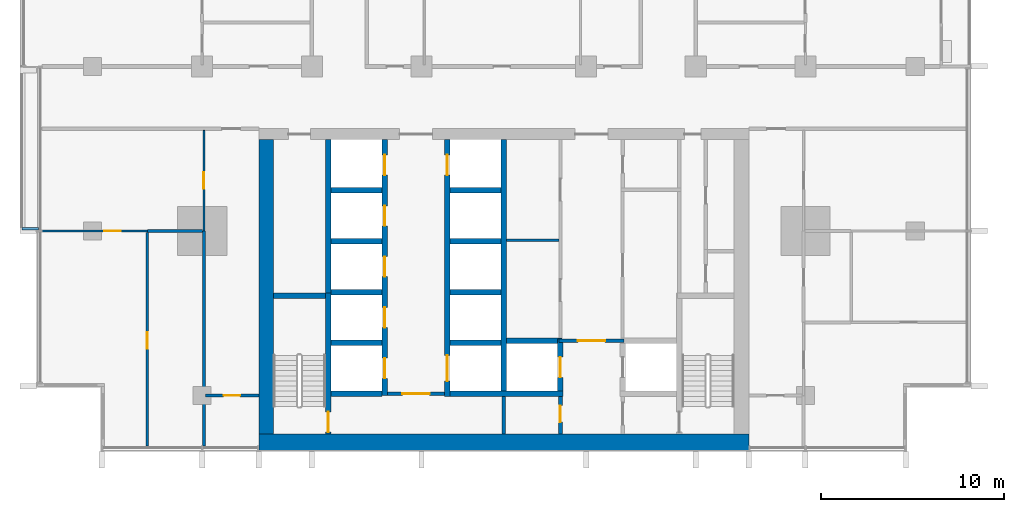
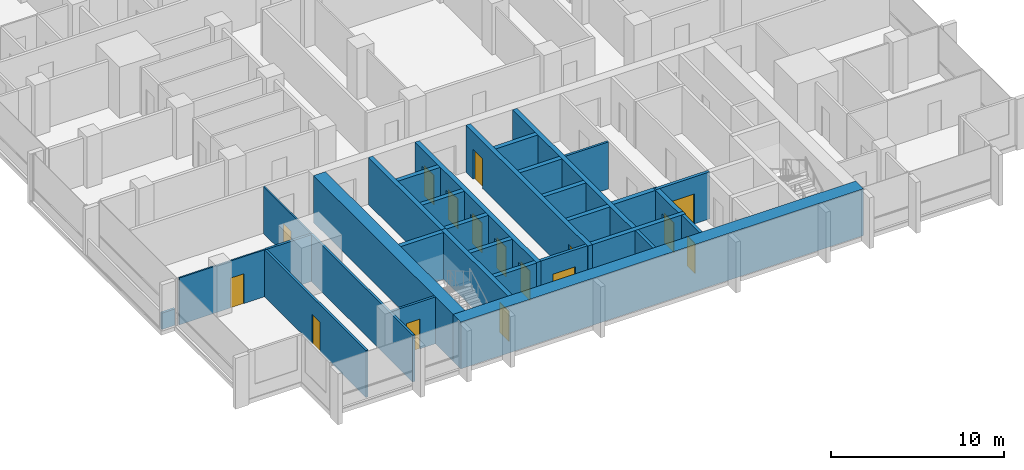
# One storey, part 7 of 17: 32 walls, 16 doors, 16 openings.
"""IFC4 building model written with IfcOpenShell, lengths in metres."""

from ifc_helpers import new_model, si_unit, direction, frame, frame_2d, origin, place, context, subcontext, project, spatial, rectangle, extrude, material, layer, layer_set, type_object, element, fill, save


model = new_model("IFC4")

# Units and contexts
model_context = context("Model", 3, precision=1e-05, world=origin(), true_north=direction((0.0, 1.0)))
body_context = subcontext(model_context, "Body", "Model", "MODEL_VIEW")
ifc_project = project(units=[si_unit("LENGTHUNIT", "METRE"), si_unit("AREAUNIT", "SQUARE_METRE"), si_unit("VOLUMEUNIT", "CUBIC_METRE"), si_unit("PLANEANGLEUNIT", "RADIAN"), si_unit("MASSUNIT", "GRAM", prefix="KILO")], contexts=[model_context])

# Site, building, storey
site_placement = place(None, origin())
site = spatial("IfcSite", under=ifc_project, at=site_placement, CompositionType="ELEMENT")
building_placement = place(site_placement, origin())
building = spatial("IfcBuilding", under=site, at=building_placement, Name="Finial Court Residences", CompositionType="ELEMENT")
storey_placement = place(building_placement, frame((0.0, 0.0, 120.699951171875)))
storey = spatial("IfcBuildingStorey", under=building, at=storey_placement, Name="L30", CompositionType="ELEMENT", Elevation=120.699951171875)

# Walls
ifc_material_1 = material(Name="Concrete C70/85", Category="concrete")
ifc_layer_1 = layer(ifc_material_1, 0.800048828125)
ifc_layer_set_1 = layer_set([ifc_layer_1], Name="Core outer wall 800 Concrete C70/85")
wall_type_1 = type_object("IfcWallType", Name="Core outer wall 800 Concrete C70/85", PredefinedType="SHEAR", material=ifc_layer_set_1)
wall_1_placement = place(storey_placement, frame((-13.0, -24.60009765625, 0.0), z_axis=(0.0, 0.0, 1.0), x_axis=(0.0, 1.0, 0.0)))
element("IfcWall", 1, at=wall_1_placement, inside=storey, type_object=wall_type_1, Name="Core outer wall L30-03", PredefinedType="SHEAR", context=body_context, shape_type="SweptSolid", body=[
    extrude(rectangle(XDim=16.10009765625, YDim=0.800048828125, at=frame_2d((8.050048828125, 0.0))), origin(), (0.0, 0.0, 1.0), 3.300048828125),
])
ifc_material_2 = material(Name="Fire-rated gypsum board partition")
ifc_layer_2 = layer(ifc_material_2, 0.14990234375)
ifc_layer_set_2 = layer_set([ifc_layer_2], Name="Core room partition 150 EI 60")
wall_type_2 = type_object("IfcWallType", Name="Core room partition 150 EI 60", PredefinedType="PARTITIONING", material=ifc_layer_set_2)
wall_2_placement = place(storey_placement, frame((0.14990234375, -14.0, 0.0), z_axis=(0.0, 0.0, 1.0), x_axis=(1.0, 0.0, 0.0)))
element("IfcWall", 2, at=wall_2_placement, inside=storey, type_object=wall_type_2, Name="Core partition L30-17", PredefinedType="PARTITIONING", context=body_context, shape_type="SweptSolid", body=[
    extrude(rectangle(XDim=2.875, YDim=0.14990234375, at=frame_2d((1.4375, 0.0))), origin(), (0.0, 0.0, 1.0), 3.300048828125),
])
ifc_layer_3 = layer(ifc_material_1, 0.89990234375)
ifc_layer_set_3 = layer_set([ifc_layer_3], Name="Core south facade wall 900 Concrete C70/85")
wall_type_3 = type_object("IfcWallType", Name="Core south facade wall 900 Concrete C70/85", PredefinedType="SHEAR", material=ifc_layer_set_3)
wall_3_placement = place(storey_placement, frame((-13.39990234375, -25.050048828125, 0.0), z_axis=(0.0, 0.0, 1.0), x_axis=(1.0, 0.0, 0.0)))
element("IfcWall", 3, at=wall_3_placement, inside=storey, type_object=wall_type_3, Name="Core outer wall L30-01", PredefinedType="SHEAR", context=body_context, shape_type="SweptSolid", body=[
    extrude(rectangle(XDim=26.7998046875, YDim=0.89990234375, at=frame_2d((13.39990234375, 0.0))), origin(), (0.0, 0.0, 1.0), 3.300048828125),
])

# Wall, opening, door
ifc_layer_4 = layer(ifc_material_2, 0.199951171875)
ifc_layer_set_4 = layer_set([ifc_layer_4], Name="Firefighting lobby wall 200 EI 120")
wall_type_4 = type_object("IfcWallType", Name="Firefighting lobby wall 200 EI 120", PredefinedType="PARTITIONING", material=ifc_layer_set_4)
wall_4_placement = place(storey_placement, frame((6.574951171875, -19.5, 0.0), z_axis=(0.0, 0.0, 1.0), x_axis=(-1.0, 0.0, 0.0)))
wall_4 = element("IfcWall", 4, at=wall_4_placement, inside=storey, type_object=wall_type_4, Name="Core partition L30-08", PredefinedType="PARTITIONING", context=body_context, shape_type="SweptSolid", body=[
    extrude(rectangle(XDim=3.550048828125, YDim=0.199951171875, at=frame_2d((1.77490234375, 0.0))), origin(), (0.0, 0.0, 1.0), 3.300048828125),
])
opening_1_placement = place(wall_4_placement, frame((1.02490234375, 0.0, 0.0)))
opening_1 = element("IfcOpeningElement", 5, at=opening_1_placement, cuts=wall_4, Name="Opening L30-C02", PredefinedType="OPENING", context=body_context, shape_type="SweptSolid", body=[
    extrude(rectangle(XDim=1.5, YDim=2.10009765625, at=frame_2d((0.75, 1.050048828125))), frame((0.0, 0.10986328125, 0.0), z_axis=(0.0, -1.0, 0.0), x_axis=(1.0, 0.0, 0.0)), (0.0, 0.0, 1.0), 0.219970703125),
])
ifc_material_3 = material(Name="Steel fire door", Category="steel")
door_type_1 = type_object("IfcDoorType", Name="Firefighting lobby door 1500 x 2100 EI 90", OperationType="DOUBLE_DOOR_SINGLE_SWING", PredefinedType="DOOR", material=ifc_material_3)
door_1_placement = place(opening_1_placement, origin())
door_1 = element("IfcDoor", 6, at=door_1_placement, inside=storey, type_object=door_type_1, Name="Firefighting lobby door L30-C02", OperationType="DOUBLE_DOOR_SINGLE_SWING", OverallHeight=2.10009765625, OverallWidth=1.5, PredefinedType="DOOR", context=body_context, shape_type="SweptSolid", body=[
    extrude(rectangle(XDim=1.5, YDim=2.10009765625, at=frame_2d((0.75, 1.050048828125))), frame((0.0, 0.02490234375, 0.0), z_axis=(0.0, -1.0, 0.0), x_axis=(1.0, 0.0, 0.0)), (0.0, 0.0, 1.0), 0.050048828125),
])
fill(opening_1, door_1)

wall_5_placement = place(storey_placement, frame((3.10009765625, -24.60009765625, 0.0), z_axis=(0.0, 0.0, 1.0), x_axis=(0.0, 1.0, 0.0)))
wall_5 = element("IfcWall", 7, at=wall_5_placement, inside=storey, type_object=wall_type_4, Name="Core partition L30-27", PredefinedType="PARTITIONING", context=body_context, shape_type="SweptSolid", body=[
    extrude(rectangle(XDim=2.050048828125, YDim=0.199951171875, at=frame_2d((1.02490234375, 0.0))), origin(), (0.0, 0.0, 1.0), 3.300048828125),
])
opening_2_placement = place(wall_5_placement, frame((0.64990234375, 0.0, 0.0)))
opening_2 = element("IfcOpeningElement", 8, at=opening_2_placement, cuts=wall_5, Name="Opening L30-C06", PredefinedType="OPENING", context=body_context, shape_type="SweptSolid", body=[
    extrude(rectangle(XDim=0.89990234375, YDim=2.10009765625, at=frame_2d((0.449951171875, 1.050048828125))), frame((0.0, 0.10986328125, 0.0), z_axis=(0.0, -1.0, 0.0), x_axis=(1.0, 0.0, 0.0)), (0.0, 0.0, 1.0), 0.219970703125),
])
door_type_2 = type_object("IfcDoorType", Name="Riser room door 900 x 2100 EI 90", OperationType="NOTDEFINED", PredefinedType="DOOR", material=ifc_material_3)
door_2_placement = place(opening_2_placement, origin())
door_2 = element("IfcDoor", 9, at=door_2_placement, inside=storey, type_object=door_type_2, Name="Riser room door L30-C06", OperationType="SINGLE_SWING_LEFT", OverallHeight=2.10009765625, OverallWidth=0.89990234375, PredefinedType="DOOR", context=body_context, shape_type="SweptSolid", body=[
    extrude(rectangle(XDim=0.89990234375, YDim=2.10009765625, at=frame_2d((0.449951171875, 1.050048828125))), frame((0.0, 0.02490234375, 0.0), z_axis=(0.0, -1.0, 0.0), x_axis=(1.0, 0.0, 0.0)), (0.0, 0.0, 1.0), 0.050048828125),
])
fill(opening_2, door_2)

ifc_material_4 = material(Name="Gypsum board")
ifc_layer_5 = layer(ifc_material_4, 0.012451171875)
ifc_material_5 = material(Name="Mineral wool in light-gauge frame")
ifc_layer_6 = layer(ifc_material_5, 0.074951171875)
ifc_layer_7 = layer(ifc_material_4, 0.012451171875)
ifc_layer_set_5 = layer_set([ifc_layer_5, ifc_layer_6, ifc_layer_7], Name="Gypsum board partition 100")
wall_type_5 = type_object("IfcWallType", Name="Gypsum board partition 100", PredefinedType="PARTITIONING", material=ifc_layer_set_5)
wall_6_placement = place(storey_placement, frame((-25.25, -13.5, 0.0), z_axis=(0.0, 0.0, 1.0), x_axis=(1.0, 0.0, 0.0)))
wall_6 = element("IfcWall", 10, at=wall_6_placement, inside=storey, type_object=wall_type_5, Name="Partition L30-004", PredefinedType="PARTITIONING", context=body_context, shape_type="SweptSolid", body=[
    extrude(rectangle(XDim=5.75, YDim=0.10009765625, at=frame_2d((2.875, 0.0))), origin(), (0.0, 0.0, 1.0), 3.300048828125),
])
opening_3_placement = place(wall_6_placement, frame((3.39990234375, 0.0, 0.0)))
opening_3 = element("IfcOpeningElement", 11, at=opening_3_placement, cuts=wall_6, Name="Opening L30-D004", PredefinedType="OPENING", context=body_context, shape_type="SweptSolid", body=[
    extrude(rectangle(XDim=0.89990234375, YDim=2.10009765625, at=frame_2d((0.449951171875, 1.050048828125))), frame((0.0, 0.06005859375, 0.0), z_axis=(0.0, -1.0, 0.0), x_axis=(1.0, 0.0, 0.0)), (0.0, 0.0, 1.0), 0.1201171875),
])
ifc_material_6 = material(Name="Timber door leaf in timber frame", Category="wood")
door_type_3 = type_object("IfcDoorType", Name="Door set 900 x 2100", OperationType="SINGLE_SWING_LEFT", PredefinedType="DOOR", material=ifc_material_6)
door_3_placement = place(opening_3_placement, origin())
door_3 = element("IfcDoor", 12, at=door_3_placement, inside=storey, type_object=door_type_3, Name="Door L30-D004", OperationType="SINGLE_SWING_RIGHT", OverallHeight=2.10009765625, OverallWidth=0.89990234375, PredefinedType="DOOR", context=body_context, shape_type="SweptSolid", body=[
    extrude(rectangle(XDim=0.89990234375, YDim=2.10009765625, at=frame_2d((0.449951171875, 1.050048828125))), frame((0.0, 0.02490234375, 0.0), z_axis=(0.0, -1.0, 0.0), x_axis=(1.0, 0.0, 0.0)), (0.0, 0.0, 1.0), 0.050048828125),
])
fill(opening_3, door_3)

wall_7_placement = place(storey_placement, frame((-16.39990234375, -13.5, 0.0), z_axis=(0.0, 0.0, 1.0), x_axis=(0.0, 1.0, 0.0)))
wall_7 = element("IfcWall", 13, at=wall_7_placement, inside=storey, type_object=wall_type_5, Name="Partition L30-052", PredefinedType="PARTITIONING", context=body_context, shape_type="SweptSolid", body=[
    extrude(rectangle(XDim=5.5, YDim=0.10009765625, at=frame_2d((2.75, 0.0))), origin(), (0.0, 0.0, 1.0), 3.300048828125),
])
opening_4_placement = place(wall_7_placement, frame((2.300048828125, 0.0, 0.0)))
opening_4 = element("IfcOpeningElement", 14, at=opening_4_placement, cuts=wall_7, Name="Opening L30-D029", PredefinedType="OPENING", context=body_context, shape_type="SweptSolid", body=[
    extrude(rectangle(XDim=0.89990234375, YDim=2.10009765625, at=frame_2d((0.449951171875, 1.050048828125))), frame((0.0, 0.06005859375, 0.0), z_axis=(0.0, -1.0, 0.0), x_axis=(1.0, 0.0, 0.0)), (0.0, 0.0, 1.0), 0.1201171875),
])
door_4_placement = place(opening_4_placement, origin())
door_4 = element("IfcDoor", 15, at=door_4_placement, inside=storey, type_object=door_type_3, Name="Door L30-D029", OperationType="SINGLE_SWING_LEFT", OverallHeight=2.10009765625, OverallWidth=0.89990234375, PredefinedType="DOOR", context=body_context, shape_type="SweptSolid", body=[
    extrude(rectangle(XDim=0.89990234375, YDim=2.10009765625, at=frame_2d((0.449951171875, 1.050048828125))), frame((0.0, 0.02490234375, 0.0), z_axis=(0.0, -1.0, 0.0), x_axis=(1.0, 0.0, 0.0)), (0.0, 0.0, 1.0), 0.050048828125),
])
fill(opening_4, door_4)

ifc_material_7 = material(Name="Moisture-resistant gypsum board")
ifc_layer_8 = layer(ifc_material_7, 0.012451171875)
ifc_layer_9 = layer(ifc_material_5, 0.125)
ifc_layer_10 = layer(ifc_material_7, 0.012451171875)
ifc_layer_set_6 = layer_set([ifc_layer_8, ifc_layer_9, ifc_layer_10], Name="Gypsum board wet-area partition 150")
wall_type_6 = type_object("IfcWallType", Name="Gypsum board wet-area partition 150", PredefinedType="PARTITIONING", material=ifc_layer_set_6)
wall_8_placement = place(storey_placement, frame((-16.324951171875, -22.5, 0.0), z_axis=(0.0, 0.0, 1.0), x_axis=(1.0, 0.0, 0.0)))
wall_8 = element("IfcWall", 16, at=wall_8_placement, inside=storey, type_object=wall_type_6, Name="Partition L30-000", PredefinedType="PARTITIONING", context=body_context, shape_type="SweptSolid", body=[
    extrude(rectangle(XDim=2.925048828125, YDim=0.14990234375, at=frame_2d((1.46240234375, 0.0))), origin(), (0.0, 0.0, 1.0), 3.300048828125),
])
opening_5_placement = place(wall_8_placement, frame((1.0, 0.0, 0.0)))
opening_5 = element("IfcOpeningElement", 17, at=opening_5_placement, cuts=wall_8, Name="Opening L30-D001", PredefinedType="OPENING", context=body_context, shape_type="SweptSolid", body=[
    extrude(rectangle(XDim=0.89990234375, YDim=2.10009765625, at=frame_2d((0.449951171875, 1.050048828125))), frame((0.0, 0.0849609375, 0.0), z_axis=(0.0, -1.0, 0.0), x_axis=(1.0, 0.0, 0.0)), (0.0, 0.0, 1.0), 0.169921875),
])
door_5_placement = place(opening_5_placement, origin())
door_5 = element("IfcDoor", 18, at=door_5_placement, inside=storey, type_object=door_type_3, Name="Door L30-D001", OperationType="SINGLE_SWING_LEFT", OverallHeight=2.10009765625, OverallWidth=0.89990234375, PredefinedType="DOOR", context=body_context, shape_type="SweptSolid", body=[
    extrude(rectangle(XDim=0.89990234375, YDim=2.10009765625, at=frame_2d((0.449951171875, 1.050048828125))), frame((0.0, 0.02490234375, 0.0), z_axis=(0.0, -1.0, 0.0), x_axis=(1.0, 0.0, 0.0)), (0.0, 0.0, 1.0), 0.050048828125),
])
fill(opening_5, door_5)

# Wall
wall_9_placement = place(storey_placement, frame((-19.5, -13.5, 0.0), z_axis=(0.0, 0.0, 1.0), x_axis=(1.0, 0.0, 0.0)))
element("IfcWall", 19, at=wall_9_placement, inside=storey, type_object=wall_type_6, Name="Partition L30-006", PredefinedType="PARTITIONING", context=body_context, shape_type="SweptSolid", body=[
    extrude(rectangle(XDim=3.02490234375, YDim=0.14990234375, at=frame_2d((1.512451171875, 0.0))), origin(), (0.0, 0.0, 1.0), 3.300048828125),
])

# Wall, opening, door
wall_10_placement = place(storey_placement, frame((-19.5, -25.25, 0.0), z_axis=(0.0, 0.0, 1.0), x_axis=(0.0, 1.0, 0.0)))
wall_10 = element("IfcWall", 20, at=wall_10_placement, inside=storey, type_object=wall_type_6, Name="Partition L30-044", PredefinedType="PARTITIONING", context=body_context, shape_type="SweptSolid", body=[
    extrude(rectangle(XDim=11.675048828125, YDim=0.14990234375, at=frame_2d((5.83740234375, 0.0))), origin(), (0.0, 0.0, 1.0), 3.300048828125),
])
opening_6_placement = place(wall_10_placement, frame((5.300048828125, 0.0, 0.0)))
opening_6 = element("IfcOpeningElement", 21, at=opening_6_placement, cuts=wall_10, Name="Opening L30-D023", PredefinedType="OPENING", context=body_context, shape_type="SweptSolid", body=[
    extrude(rectangle(XDim=0.89990234375, YDim=2.10009765625, at=frame_2d((0.449951171875, 1.050048828125))), frame((0.0, 0.0849609375, 0.0), z_axis=(0.0, -1.0, 0.0), x_axis=(1.0, 0.0, 0.0)), (0.0, 0.0, 1.0), 0.169921875),
])
door_6_placement = place(opening_6_placement, origin())
door_6 = element("IfcDoor", 22, at=door_6_placement, inside=storey, type_object=door_type_3, Name="Door L30-D023", OperationType="SINGLE_SWING_RIGHT", OverallHeight=2.10009765625, OverallWidth=0.89990234375, PredefinedType="DOOR", context=body_context, shape_type="SweptSolid", body=[
    extrude(rectangle(XDim=0.89990234375, YDim=2.10009765625, at=frame_2d((0.449951171875, 1.050048828125))), frame((0.0, 0.02490234375, 0.0), z_axis=(0.0, -1.0, 0.0), x_axis=(1.0, 0.0, 0.0)), (0.0, 0.0, 1.0), 0.050048828125),
])
fill(opening_6, door_6)

# Walls
wall_11_placement = place(storey_placement, frame((-16.39990234375, -25.25, 0.0), z_axis=(0.0, 0.0, 1.0), x_axis=(0.0, 1.0, 0.0)))
element("IfcWall", 23, at=wall_11_placement, inside=storey, type_object=wall_type_6, Name="Partition L30-053", PredefinedType="PARTITIONING", context=body_context, shape_type="SweptSolid", body=[
    extrude(rectangle(XDim=11.75, YDim=0.14990234375, at=frame_2d((5.875, 0.0))), origin(), (0.0, 0.0, 1.0), 3.300048828125),
])
ifc_material_8 = material(Name="Concrete C35/45", Category="concrete")
ifc_layer_11 = layer(ifc_material_8, 0.14990234375)
ifc_layer_set_7 = layer_set([ifc_layer_11], Name="Ledge parapet, Concrete C35/45 150")
wall_type_7 = type_object("IfcWallType", Name="Ledge parapet, Concrete C35/45 150", PredefinedType="PARAPET", material=ifc_layer_set_7)
wall_12_placement = place(storey_placement, frame((-25.4599609375, -13.375, 0.0), z_axis=(0.0, 0.0, 1.0), x_axis=(-1.0, 0.0, 0.0)))
element("IfcWall", 24, at=wall_12_placement, inside=storey, type_object=wall_type_7, Name="E-L30-LED1-P1", PredefinedType="PARAPET", context=body_context, shape_type="SweptSolid", body=[
    extrude(rectangle(XDim=0.89013671875, YDim=0.14990234375, at=frame_2d((0.445068359375, 0.0))), origin(), (0.0, 0.0, 1.0), 1.150146484375),
])
ifc_layer_12 = layer(ifc_material_1, 0.300048828125)
ifc_layer_set_8 = layer_set([ifc_layer_12], Name="Lift shaft and stair wall 300 Concrete C70/85")
wall_type_8 = type_object("IfcWallType", Name="Lift shaft and stair wall 300 Concrete C70/85", PredefinedType="SHEAR", material=ifc_layer_set_8)
wall_13_placement = place(storey_placement, frame((-9.449951171875, -22.39990234375, 0.0), z_axis=(0.0, 0.0, 1.0), x_axis=(1.0, 0.0, 0.0)))
element("IfcWall", 25, at=wall_13_placement, inside=storey, type_object=wall_type_8, Name="Core wall L30-01", PredefinedType="SHEAR", context=body_context, shape_type="SweptSolid", body=[
    extrude(rectangle(XDim=2.800048828125, YDim=0.300048828125, at=frame_2d((1.39990234375, 0.0))), origin(), (0.0, 0.0, 1.0), 3.300048828125),
])
wall_14_placement = place(storey_placement, frame((-2.949951171875, -22.39990234375, 0.0), z_axis=(0.0, 0.0, 1.0), x_axis=(1.0, 0.0, 0.0)))
element("IfcWall", 26, at=wall_14_placement, inside=storey, type_object=wall_type_8, Name="Core wall L30-03", PredefinedType="SHEAR", context=body_context, shape_type="SweptSolid", body=[
    extrude(rectangle(XDim=6.199951171875, YDim=0.300048828125, at=frame_2d((3.10009765625, 0.0))), origin(), (0.0, 0.0, 1.0), 3.300048828125),
])
for number, where, z_axis, x_axis, name in (
    (27, (-9.449951171875, -19.6201171875, 0.0), (0.0, 0.0, 1.0), (1.0, 0.0, 0.0), "Core wall L30-05"),
    (28, (-2.949951171875, -19.6201171875, 0.0), (0.0, 0.0, 1.0), (1.0, 0.0, 0.0), "Core wall L30-06"),
):
    element("IfcWall", number, at=place(storey_placement, frame(where, z_axis=z_axis, x_axis=x_axis)), inside=storey, type_object=wall_type_8, Name=name, PredefinedType="SHEAR", context=body_context, shape_type="SweptSolid", body=[
        extrude(rectangle(XDim=2.800048828125, YDim=0.300048828125, at=frame_2d((1.39990234375, 0.0))), origin(), (0.0, 0.0, 1.0), 3.300048828125),
    ])
wall_15_placement = place(storey_placement, frame((0.14990234375, -19.5, 0.0), z_axis=(0.0, 0.0, 1.0), x_axis=(1.0, 0.0, 0.0)))
element("IfcWall", 29, at=wall_15_placement, inside=storey, type_object=wall_type_8, Name="Core wall L30-07", PredefinedType="SHEAR", context=body_context, shape_type="SweptSolid", body=[
    extrude(rectangle(XDim=3.025146484375, YDim=0.300048828125, at=frame_2d((1.5126953125, 0.0))), origin(), (0.0, 0.0, 1.0), 3.300048828125),
])
wall_16_placement = place(storey_placement, frame((-12.60009765625, -17.050048828125, 0.0), z_axis=(0.0, 0.0, 1.0), x_axis=(1.0, 0.0, 0.0)))
element("IfcWall", 30, at=wall_16_placement, inside=storey, type_object=wall_type_8, Name="Core wall L30-10", PredefinedType="SHEAR", context=body_context, shape_type="SweptSolid", body=[
    extrude(rectangle(XDim=2.85009765625, YDim=0.300048828125, at=frame_2d((1.425048828125, 0.0))), origin(), (0.0, 0.0, 1.0), 3.300048828125),
])
for number, where, z_axis, x_axis, name in (
    (31, (-9.449951171875, -16.840087890625, 0.0), (0.0, 0.0, 1.0), (1.0, 0.0, 0.0), "Core wall L30-12"),
    (32, (-2.949951171875, -16.840087890625, 0.0), (0.0, 0.0, 1.0), (1.0, 0.0, 0.0), "Core wall L30-13"),
    (33, (-9.449951171875, -14.06005859375, 0.0), (0.0, 0.0, 1.0), (1.0, 0.0, 0.0), "Core wall L30-15"),
    (34, (-2.949951171875, -14.06005859375, 0.0), (0.0, 0.0, 1.0), (1.0, 0.0, 0.0), "Core wall L30-16"),
    (35, (-9.449951171875, -11.280029296875, 0.0), (0.0, 0.0, 1.0), (1.0, 0.0, 0.0), "Core wall L30-18"),
    (36, (-2.949951171875, -11.280029296875, 0.0), (0.0, 0.0, 1.0), (1.0, 0.0, 0.0), "Core wall L30-19"),
):
    element("IfcWall", number, at=place(storey_placement, frame(where, z_axis=z_axis, x_axis=x_axis)), inside=storey, type_object=wall_type_8, Name=name, PredefinedType="SHEAR", context=body_context, shape_type="SweptSolid", body=[
        extrude(rectangle(XDim=2.800048828125, YDim=0.300048828125, at=frame_2d((1.39990234375, 0.0))), origin(), (0.0, 0.0, 1.0), 3.300048828125),
    ])

# Wall, opening, door
wall_17_placement = place(storey_placement, frame((-9.60009765625, -24.60009765625, 0.0), z_axis=(0.0, 0.0, 1.0), x_axis=(0.0, 1.0, 0.0)))
wall_17 = element("IfcWall", 37, at=wall_17_placement, inside=storey, type_object=wall_type_8, Name="Core wall L30-21", PredefinedType="SHEAR", context=body_context, shape_type="SweptSolid", body=[
    extrude(rectangle(XDim=7.7001953125, YDim=0.300048828125, at=frame_2d((3.85009765625, 0.0))), origin(), (0.0, 0.0, 1.0), 3.300048828125),
])
opening_7_placement = place(wall_17_placement, frame((0.10009765625, 0.0, 0.0)))
opening_7 = element("IfcOpeningElement", 38, at=opening_7_placement, cuts=wall_17, Name="Opening L30-C15", PredefinedType="OPENING", context=body_context, shape_type="SweptSolid", body=[
    extrude(rectangle(XDim=1.10009765625, YDim=2.10009765625, at=frame_2d((0.550048828125, 1.050048828125))), frame((0.0, 0.159912109375, 0.0), z_axis=(0.0, -1.0, 0.0), x_axis=(1.0, 0.0, 0.0)), (0.0, 0.0, 1.0), 0.320068359375),
])
door_type_4 = type_object("IfcDoorType", Name="Stair door 1100 x 2100 EI 90", OperationType="NOTDEFINED", PredefinedType="DOOR", material=ifc_material_3)
door_7_placement = place(opening_7_placement, origin())
door_7 = element("IfcDoor", 39, at=door_7_placement, inside=storey, type_object=door_type_4, Name="Stair door L30-C15", OperationType="SINGLE_SWING_LEFT", OverallHeight=2.10009765625, OverallWidth=1.10009765625, PredefinedType="DOOR", context=body_context, shape_type="SweptSolid", body=[
    extrude(rectangle(XDim=1.10009765625, YDim=2.10009765625, at=frame_2d((0.550048828125, 1.050048828125))), frame((0.0, 0.02490234375, 0.0), z_axis=(0.0, -1.0, 0.0), x_axis=(1.0, 0.0, 0.0)), (0.0, 0.0, 1.0), 0.050048828125),
])
fill(opening_7, door_7)

# Wall
wall_18_placement = place(storey_placement, frame((-9.60009765625, -17.199951171875, 0.0), z_axis=(0.0, 0.0, 1.0), x_axis=(0.0, 1.0, 0.0)))
element("IfcWall", 40, at=wall_18_placement, inside=storey, type_object=wall_type_8, Name="Core wall L30-22", PredefinedType="SHEAR", context=body_context, shape_type="SweptSolid", body=[
    extrude(rectangle(XDim=8.699951171875, YDim=0.300048828125, at=frame_2d((4.35009765625, 0.0))), origin(), (0.0, 0.0, 1.0), 3.300048828125),
])

# Wall, openings, doors
wall_19_placement = place(storey_placement, frame((-6.5, -22.5, 0.0), z_axis=(0.0, 0.0, 1.0), x_axis=(0.0, 1.0, 0.0)))
wall_19 = element("IfcWall", 41, at=wall_19_placement, inside=storey, type_object=wall_type_8, Name="Core wall L30-23", PredefinedType="SHEAR", context=body_context, shape_type="SweptSolid", body=[
    extrude(rectangle(XDim=14.0, YDim=0.300048828125, at=frame_2d((7.0, 0.0))), origin(), (0.0, 0.0, 1.0), 3.300048828125),
])
opening_8_placement = place(wall_19_placement, frame((0.93994140625, 0.0, 0.0)))
opening_8 = element("IfcOpeningElement", 42, at=opening_8_placement, cuts=wall_19, Name="Opening L30-LD03", PredefinedType="OPENING", context=body_context, shape_type="SweptSolid", body=[
    extrude(rectangle(XDim=1.10009765625, YDim=2.10009765625, at=frame_2d((0.550048828125, 1.050048828125))), frame((0.0, 0.159912109375, 0.0), z_axis=(0.0, -1.0, 0.0), x_axis=(1.0, 0.0, 0.0)), (0.0, 0.0, 1.0), 0.320068359375),
])
opening_9_placement = place(wall_19_placement, frame((3.719970703125, 0.0, 0.0)))
opening_9 = element("IfcOpeningElement", 43, at=opening_9_placement, cuts=wall_19, Name="Opening L30-LD04", PredefinedType="OPENING", context=body_context, shape_type="SweptSolid", body=[
    extrude(rectangle(XDim=1.10009765625, YDim=2.10009765625, at=frame_2d((0.550048828125, 1.050048828125))), frame((0.0, 0.159912109375, 0.0), z_axis=(0.0, -1.0, 0.0), x_axis=(1.0, 0.0, 0.0)), (0.0, 0.0, 1.0), 0.320068359375),
])
opening_10_placement = place(wall_19_placement, frame((6.5, 0.0, 0.0)))
opening_10 = element("IfcOpeningElement", 44, at=opening_10_placement, cuts=wall_19, Name="Opening L30-LD05", PredefinedType="OPENING", context=body_context, shape_type="SweptSolid", body=[
    extrude(rectangle(XDim=1.10009765625, YDim=2.10009765625, at=frame_2d((0.550048828125, 1.050048828125))), frame((0.0, 0.159912109375, 0.0), z_axis=(0.0, -1.0, 0.0), x_axis=(1.0, 0.0, 0.0)), (0.0, 0.0, 1.0), 0.320068359375),
])
opening_11_placement = place(wall_19_placement, frame((9.280029296875, 0.0, 0.0)))
opening_11 = element("IfcOpeningElement", 45, at=opening_11_placement, cuts=wall_19, Name="Opening L30-LD06", PredefinedType="OPENING", context=body_context, shape_type="SweptSolid", body=[
    extrude(rectangle(XDim=1.10009765625, YDim=2.10009765625, at=frame_2d((0.550048828125, 1.050048828125))), frame((0.0, 0.159912109375, 0.0), z_axis=(0.0, -1.0, 0.0), x_axis=(1.0, 0.0, 0.0)), (0.0, 0.0, 1.0), 0.320068359375),
])
opening_12_placement = place(wall_19_placement, frame((12.06005859375, 0.0, 0.0)))
opening_12 = element("IfcOpeningElement", 46, at=opening_12_placement, cuts=wall_19, Name="Opening L30-LD07", PredefinedType="OPENING", context=body_context, shape_type="SweptSolid", body=[
    extrude(rectangle(XDim=1.10009765625, YDim=2.10009765625, at=frame_2d((0.550048828125, 1.050048828125))), frame((0.0, 0.159912109375, 0.0), z_axis=(0.0, -1.0, 0.0), x_axis=(1.0, 0.0, 0.0)), (0.0, 0.0, 1.0), 0.320068359375),
])
ifc_material_9 = material(Name="Stainless steel lift door", Category="steel")
door_type_5 = type_object("IfcDoorType", Name="Lift landing door 1100 x 2100 EI 90", OperationType="DOUBLE_DOOR_SLIDING", PredefinedType="DOOR", material=ifc_material_9)
door_8_placement = place(opening_8_placement, origin())
door_8 = element("IfcDoor", 47, at=door_8_placement, inside=storey, type_object=door_type_5, Name="Lift landing door LR1 L30", OperationType="DOUBLE_DOOR_SLIDING", OverallHeight=2.10009765625, OverallWidth=1.10009765625, PredefinedType="DOOR", context=body_context, shape_type="SweptSolid", body=[
    extrude(rectangle(XDim=1.10009765625, YDim=2.10009765625, at=frame_2d((0.550048828125, 1.050048828125))), frame((0.0, 0.02490234375, 0.0), z_axis=(0.0, -1.0, 0.0), x_axis=(1.0, 0.0, 0.0)), (0.0, 0.0, 1.0), 0.050048828125),
])
fill(opening_8, door_8)
door_9_placement = place(opening_9_placement, origin())
door_9 = element("IfcDoor", 48, at=door_9_placement, inside=storey, type_object=door_type_5, Name="Lift landing door LR2 L30", OperationType="DOUBLE_DOOR_SLIDING", OverallHeight=2.10009765625, OverallWidth=1.10009765625, PredefinedType="DOOR", context=body_context, shape_type="SweptSolid", body=[
    extrude(rectangle(XDim=1.10009765625, YDim=2.10009765625, at=frame_2d((0.550048828125, 1.050048828125))), frame((0.0, 0.02490234375, 0.0), z_axis=(0.0, -1.0, 0.0), x_axis=(1.0, 0.0, 0.0)), (0.0, 0.0, 1.0), 0.050048828125),
])
fill(opening_9, door_9)
door_10_placement = place(opening_10_placement, origin())
door_10 = element("IfcDoor", 49, at=door_10_placement, inside=storey, type_object=door_type_5, Name="Lift landing door LR3 L30", OperationType="DOUBLE_DOOR_SLIDING", OverallHeight=2.10009765625, OverallWidth=1.10009765625, PredefinedType="DOOR", context=body_context, shape_type="SweptSolid", body=[
    extrude(rectangle(XDim=1.10009765625, YDim=2.10009765625, at=frame_2d((0.550048828125, 1.050048828125))), frame((0.0, 0.02490234375, 0.0), z_axis=(0.0, -1.0, 0.0), x_axis=(1.0, 0.0, 0.0)), (0.0, 0.0, 1.0), 0.050048828125),
])
fill(opening_10, door_10)
door_11_placement = place(opening_11_placement, origin())
door_11 = element("IfcDoor", 50, at=door_11_placement, inside=storey, type_object=door_type_5, Name="Lift landing door LR4 L30", OperationType="DOUBLE_DOOR_SLIDING", OverallHeight=2.10009765625, OverallWidth=1.10009765625, PredefinedType="DOOR", context=body_context, shape_type="SweptSolid", body=[
    extrude(rectangle(XDim=1.10009765625, YDim=2.10009765625, at=frame_2d((0.550048828125, 1.050048828125))), frame((0.0, 0.02490234375, 0.0), z_axis=(0.0, -1.0, 0.0), x_axis=(1.0, 0.0, 0.0)), (0.0, 0.0, 1.0), 0.050048828125),
])
fill(opening_11, door_11)
door_12_placement = place(opening_12_placement, origin())
door_12 = element("IfcDoor", 51, at=door_12_placement, inside=storey, type_object=door_type_5, Name="Lift landing door LR5 L30", OperationType="DOUBLE_DOOR_SLIDING", OverallHeight=2.10009765625, OverallWidth=1.10009765625, PredefinedType="DOOR", context=body_context, shape_type="SweptSolid", body=[
    extrude(rectangle(XDim=1.10009765625, YDim=2.10009765625, at=frame_2d((0.550048828125, 1.050048828125))), frame((0.0, 0.02490234375, 0.0), z_axis=(0.0, -1.0, 0.0), x_axis=(1.0, 0.0, 0.0)), (0.0, 0.0, 1.0), 0.050048828125),
])
fill(opening_12, door_12)

wall_20_placement = place(storey_placement, frame((-3.10009765625, -22.550048828125, 0.0), z_axis=(0.0, 0.0, 1.0), x_axis=(0.0, 1.0, 0.0)))
wall_20 = element("IfcWall", 52, at=wall_20_placement, inside=storey, type_object=wall_type_8, Name="Core wall L30-24", PredefinedType="SHEAR", context=body_context, shape_type="SweptSolid", body=[
    extrude(rectangle(XDim=14.050048828125, YDim=0.300048828125, at=frame_2d((7.02490234375, 0.0))), origin(), (0.0, 0.0, 1.0), 3.300048828125),
])
opening_13_placement = place(wall_20_placement, frame((12.110107421875, 0.0, 0.0)))
opening_13 = element("IfcOpeningElement", 53, at=opening_13_placement, cuts=wall_20, Name="Opening L30-LD08", PredefinedType="OPENING", context=body_context, shape_type="SweptSolid", body=[
    extrude(rectangle(XDim=1.10009765625, YDim=2.10009765625, at=frame_2d((0.550048828125, 1.050048828125))), frame((0.0, 0.159912109375, 0.0), z_axis=(0.0, -1.0, 0.0), x_axis=(1.0, 0.0, 0.0)), (0.0, 0.0, 1.0), 0.320068359375),
])
opening_14_placement = place(wall_20_placement, frame((0.840087890625, 0.0, 0.0)))
opening_14 = element("IfcOpeningElement", 54, at=opening_14_placement, cuts=wall_20, Name="Opening L30-LD09", PredefinedType="OPENING", context=body_context, shape_type="SweptSolid", body=[
    extrude(rectangle(XDim=1.39990234375, YDim=2.10009765625, at=frame_2d((0.699951171875, 1.050048828125))), frame((0.0, 0.159912109375, 0.0), z_axis=(0.0, -1.0, 0.0), x_axis=(1.0, 0.0, 0.0)), (0.0, 0.0, 1.0), 0.320068359375),
])
door_13_placement = place(opening_13_placement, origin())
door_13 = element("IfcDoor", 55, at=door_13_placement, inside=storey, type_object=door_type_5, Name="Lift landing door LR6 L30", OperationType="DOUBLE_DOOR_SLIDING", OverallHeight=2.10009765625, OverallWidth=1.10009765625, PredefinedType="DOOR", context=body_context, shape_type="SweptSolid", body=[
    extrude(rectangle(XDim=1.10009765625, YDim=2.10009765625, at=frame_2d((0.550048828125, 1.050048828125))), frame((0.0, 0.02490234375, 0.0), z_axis=(0.0, -1.0, 0.0), x_axis=(1.0, 0.0, 0.0)), (0.0, 0.0, 1.0), 0.050048828125),
])
fill(opening_13, door_13)
door_type_6 = type_object("IfcDoorType", Name="Lift landing door 1400 x 2100 EI 90", OperationType="DOUBLE_DOOR_SLIDING", PredefinedType="DOOR", material=ifc_material_9)
door_14_placement = place(opening_14_placement, origin())
door_14 = element("IfcDoor", 56, at=door_14_placement, inside=storey, type_object=door_type_6, Name="Lift landing door SV1 L30", OperationType="DOUBLE_DOOR_SLIDING", OverallHeight=2.10009765625, OverallWidth=1.39990234375, PredefinedType="DOOR", context=body_context, shape_type="SweptSolid", body=[
    extrude(rectangle(XDim=1.39990234375, YDim=2.10009765625, at=frame_2d((0.699951171875, 1.050048828125))), frame((0.0, 0.02490234375, 0.0), z_axis=(0.0, -1.0, 0.0), x_axis=(1.0, 0.0, 0.0)), (0.0, 0.0, 1.0), 0.050048828125),
])
fill(opening_14, door_14)

# Wall
wall_21_placement = place(storey_placement, frame((0.0, -22.25, 0.0), z_axis=(0.0, 0.0, 1.0), x_axis=(0.0, 1.0, 0.0)))
element("IfcWall", 57, at=wall_21_placement, inside=storey, type_object=wall_type_8, Name="Core wall L30-26", PredefinedType="SHEAR", context=body_context, shape_type="SweptSolid", body=[
    extrude(rectangle(XDim=13.75, YDim=0.300048828125, at=frame_2d((6.875, 0.0))), origin(), (0.0, 0.0, 1.0), 3.300048828125),
])

# Wall, opening, door
wall_22_placement = place(storey_placement, frame((3.10009765625, -22.25, 0.0), z_axis=(0.0, 0.0, 1.0), x_axis=(0.0, 1.0, 0.0)))
wall_22 = element("IfcWall", 58, at=wall_22_placement, inside=storey, type_object=wall_type_8, Name="Core wall L30-28", PredefinedType="SHEAR", context=body_context, shape_type="SweptSolid", body=[
    extrude(rectangle(XDim=2.85009765625, YDim=0.300048828125, at=frame_2d((1.425048828125, 0.0))), origin(), (0.0, 0.0, 1.0), 3.300048828125),
])
opening_15_placement = place(wall_22_placement, frame((0.75, 0.0, 0.0)))
opening_15 = element("IfcOpeningElement", 59, at=opening_15_placement, cuts=wall_22, Name="Opening L30-LD01", PredefinedType="OPENING", context=body_context, shape_type="SweptSolid", body=[
    extrude(rectangle(XDim=1.10009765625, YDim=2.10009765625, at=frame_2d((0.550048828125, 1.050048828125))), frame((0.0, 0.159912109375, 0.0), z_axis=(0.0, -1.0, 0.0), x_axis=(1.0, 0.0, 0.0)), (0.0, 0.0, 1.0), 0.320068359375),
])
door_15_placement = place(opening_15_placement, origin())
door_15 = element("IfcDoor", 60, at=door_15_placement, inside=storey, type_object=door_type_5, Name="Lift landing door FF1 L30", OperationType="DOUBLE_DOOR_SLIDING", OverallHeight=2.10009765625, OverallWidth=1.10009765625, PredefinedType="DOOR", context=body_context, shape_type="SweptSolid", body=[
    extrude(rectangle(XDim=1.10009765625, YDim=2.10009765625, at=frame_2d((0.550048828125, 1.050048828125))), frame((0.0, 0.02490234375, 0.0), z_axis=(0.0, -1.0, 0.0), x_axis=(1.0, 0.0, 0.0)), (0.0, 0.0, 1.0), 0.050048828125),
])
fill(opening_15, door_15)

# Wall
ifc_layer_13 = layer(ifc_material_2, 0.199951171875)
ifc_layer_set_9 = layer_set([ifc_layer_13], Name="Riser room wall 200 EI 120")
wall_type_9 = type_object("IfcWallType", Name="Riser room wall 200 EI 120", PredefinedType="PARTITIONING", material=ifc_layer_set_9)
wall_23_placement = place(storey_placement, frame((0.0, -24.60009765625, 0.0), z_axis=(0.0, 0.0, 1.0), x_axis=(0.0, 1.0, 0.0)))
element("IfcWall", 61, at=wall_23_placement, inside=storey, type_object=wall_type_9, Name="Core partition L30-25", PredefinedType="PARTITIONING", context=body_context, shape_type="SweptSolid", body=[
    extrude(rectangle(XDim=2.050048828125, YDim=0.199951171875, at=frame_2d((1.02490234375, 0.0))), origin(), (0.0, 0.0, 1.0), 3.300048828125),
])

# Wall, opening, door
ifc_layer_14 = layer(ifc_material_2, 0.199951171875)
ifc_layer_set_10 = layer_set([ifc_layer_14], Name="Stair passage wall 200 EI 180")
wall_type_10 = type_object("IfcWallType", Name="Stair passage wall 200 EI 180", PredefinedType="PARTITIONING", material=ifc_layer_set_10)
wall_24_placement = place(storey_placement, frame((-3.25, -22.39990234375, 0.0), z_axis=(0.0, 0.0, 1.0), x_axis=(-1.0, 0.0, 0.0)))
wall_24 = element("IfcWall", 62, at=wall_24_placement, inside=storey, type_object=wall_type_10, Name="Core partition L30-02", PredefinedType="PARTITIONING", context=body_context, shape_type="SweptSolid", body=[
    extrude(rectangle(XDim=3.10009765625, YDim=0.199951171875, at=frame_2d((1.550048828125, 0.0))), origin(), (0.0, 0.0, 1.0), 3.300048828125),
])
opening_16_placement = place(wall_24_placement, frame((0.800048828125, 0.0, 0.0)))
opening_16 = element("IfcOpeningElement", 63, at=opening_16_placement, cuts=wall_24, Name="Opening L30-C03", PredefinedType="OPENING", context=body_context, shape_type="SweptSolid", body=[
    extrude(rectangle(XDim=1.5, YDim=2.10009765625, at=frame_2d((0.75, 1.050048828125))), frame((0.0, 0.10986328125, 0.0), z_axis=(0.0, -1.0, 0.0), x_axis=(1.0, 0.0, 0.0)), (0.0, 0.0, 1.0), 0.219970703125),
])
door_type_7 = type_object("IfcDoorType", Name="Lift lobby door 1500 x 2100 EI 60", OperationType="DOUBLE_DOOR_SINGLE_SWING", PredefinedType="DOOR", material=ifc_material_3)
door_16_placement = place(opening_16_placement, origin())
door_16 = element("IfcDoor", 64, at=door_16_placement, inside=storey, type_object=door_type_7, Name="Lift lobby door L30-C03", OperationType="DOUBLE_DOOR_SINGLE_SWING", OverallHeight=2.10009765625, OverallWidth=1.5, PredefinedType="DOOR", context=body_context, shape_type="SweptSolid", body=[
    extrude(rectangle(XDim=1.5, YDim=2.10009765625, at=frame_2d((0.75, 1.050048828125))), frame((0.0, 0.02490234375, 0.0), z_axis=(0.0, -1.0, 0.0), x_axis=(1.0, 0.0, 0.0)), (0.0, 0.0, 1.0), 0.050048828125),
])
fill(opening_16, door_16)

save(model, "model.ifc")
